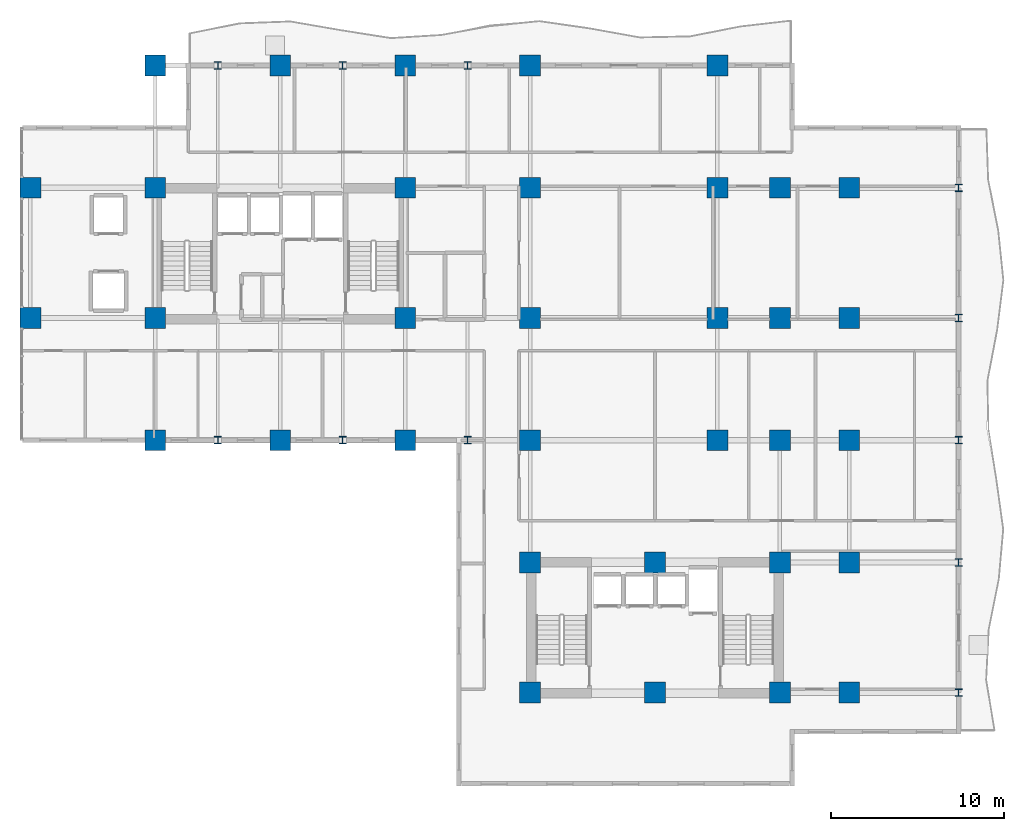
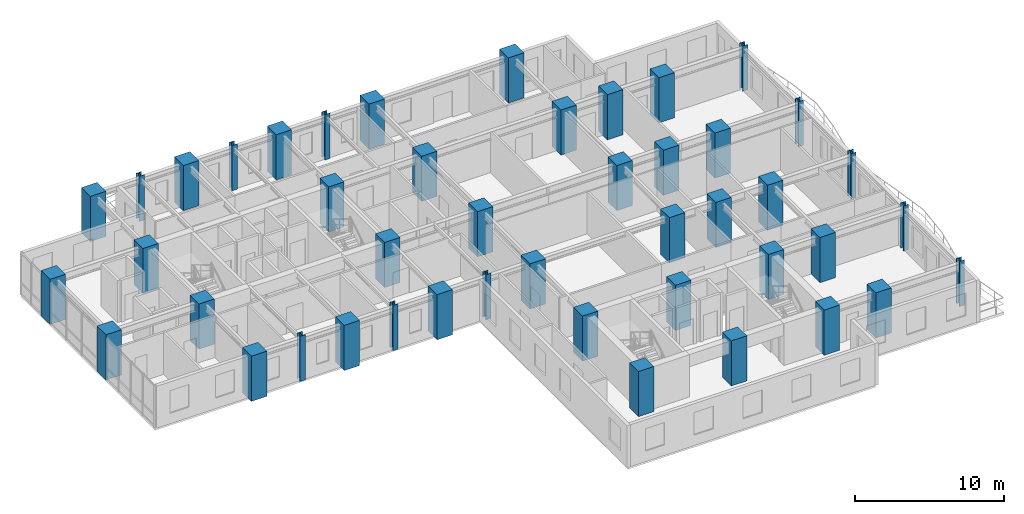
# One storey, part 1 of 17: 45 columns.
"""IFC4 building model written with IfcOpenShell, lengths in metres."""

from ifc_helpers import new_model, si_unit, direction, frame, origin, origin_2d, place, context, subcontext, project, spatial, rectangle, i_section, extrude, source, transform, mapped, material, material_profile, profile_set, type_object, element, save


model = new_model("IFC4")

# Units and contexts
model_context = context("Model", 3, precision=1e-05, world=origin(), true_north=direction((0.0, 1.0)))
body_context = subcontext(model_context, "Body", "Model", "MODEL_VIEW")
ifc_project = project(units=[si_unit("LENGTHUNIT", "METRE"), si_unit("AREAUNIT", "SQUARE_METRE"), si_unit("VOLUMEUNIT", "CUBIC_METRE"), si_unit("PLANEANGLEUNIT", "RADIAN"), si_unit("MASSUNIT", "GRAM", prefix="KILO")], contexts=[model_context])

# Site, building, storey
site_placement = place(None, origin())
site = spatial("IfcSite", under=ifc_project, at=site_placement, CompositionType="ELEMENT")
building_placement = place(site_placement, origin())
building = spatial("IfcBuilding", under=site, at=building_placement, Name="Kaliganga Portal Commons", CompositionType="ELEMENT")
storey_placement = place(building_placement, frame((0.0, 0.0, 108.199951171875)))
storey = spatial("IfcBuildingStorey", under=building, at=storey_placement, Name="L27", CompositionType="ELEMENT", Elevation=108.199951171875)

# Columns
ifc_material_1 = material(Name="Concrete C60/75", Category="concrete")
ifc_material_profile_1 = material_profile(ifc_material_1, rectangle(XDim=1.199951171875, YDim=1.199951171875, at=origin_2d()), Name="RC 1200x1200")
ifc_profile_set_1 = profile_set([ifc_material_profile_1], Name="Concrete C60/75")
column_type_1 = type_object("IfcColumnType", Name="COL-MEGA-Z2", PredefinedType="COLUMN", material=ifc_profile_set_1)
shared_shape_1 = source(origin(), body_context, "Body", "SweptSolid", [
    extrude(rectangle(XDim=1.199951171875, YDim=1.199951171875, at=origin_2d()), origin(), (0.0, 0.0, 1.0), 3.699951171875),
])
for number, where, z_axis, x_axis, name in (
    (1, (7.199951171875, 28.64990234375, 0.0), (0.0, 0.0, 1.0), (1.0, 0.0, 0.0), "Column MC-03 L27"),
    (2, (7.199951171875, 36.14990234375, 0.0), (0.0, 0.0, 1.0), (1.0, 0.0, 0.0), "Column MC-03 L27"),
    (3, (14.39990234375, 21.60009765625, 0.0), (0.0, 0.0, 1.0), (1.0, 0.0, 0.0), "Column MC-03 L27"),
    (4, (14.39990234375, 28.64990234375, 0.0), (0.0, 0.0, 1.0), (1.0, 0.0, 0.0), "Column MC-03 L27"),
    (5, (14.39990234375, 36.14990234375, 0.0), (0.0, 0.0, 1.0), (1.0, 0.0, 0.0), "Column MC-03 L27"),
    (6, (14.39990234375, 43.199951171875, 0.0), (0.0, 0.0, 1.0), (1.0, 0.0, 0.0), "Column MC-03 L27"),
    (7, (21.60009765625, 21.60009765625, 0.0), (0.0, 0.0, 1.0), (1.0, 0.0, 0.0), "Column MC-03 L27"),
    (8, (21.60009765625, 43.199951171875, 0.0), (0.0, 0.0, 1.0), (1.0, 0.0, 0.0), "Column MC-03 L27"),
    (9, (28.800048828125, 21.60009765625, 0.0), (0.0, 0.0, 1.0), (1.0, 0.0, 0.0), "Column MC-03 L27"),
    (10, (28.800048828125, 28.64990234375, 0.0), (0.0, 0.0, 1.0), (1.0, 0.0, 0.0), "Column MC-03 L27"),
    (11, (28.800048828125, 36.14990234375, 0.0), (0.0, 0.0, 1.0), (1.0, 0.0, 0.0), "Column MC-03 L27"),
    (12, (28.800048828125, 43.199951171875, 0.0), (0.0, 0.0, 1.0), (1.0, 0.0, 0.0), "Column MC-03 L27"),
    (13, (36.0, 21.60009765625, 0.0), (0.0, 0.0, 1.0), (1.0, 0.0, 0.0), "Column MC-03 L27"),
    (14, (36.0, 43.199951171875, 0.0), (0.0, 0.0, 1.0), (1.0, 0.0, 0.0), "Column MC-03 L27"),
    (15, (36.0, 28.64990234375, 0.0), (0.0, 0.0, 1.0), (1.0, 0.0, 0.0), "Column MC-03 L27"),
    (16, (36.0, 36.14990234375, 0.0), (0.0, 0.0, 1.0), (1.0, 0.0, 0.0), "Column MC-03 L27"),
    (17, (46.800048828125, 21.60009765625, 0.0), (0.0, 0.0, 1.0), (1.0, 0.0, 0.0), "Column MC-03 L27"),
    (18, (46.800048828125, 28.64990234375, 0.0), (0.0, 0.0, 1.0), (1.0, 0.0, 0.0), "Column MC-03 L27"),
    (19, (46.800048828125, 36.14990234375, 0.0), (0.0, 0.0, 1.0), (1.0, 0.0, 0.0), "Column MC-03 L27"),
    (20, (46.800048828125, 43.199951171875, 0.0), (0.0, 0.0, 1.0), (1.0, 0.0, 0.0), "Column MC-03 L27"),
    (21, (36.0, 7.050048828125, 0.0), (0.0, 0.0, 1.0), (1.0, 0.0, 0.0), "Column MC-03 L27"),
    (22, (36.0, 14.550048828125, 0.0), (0.0, 0.0, 1.0), (1.0, 0.0, 0.0), "Column MC-03 L27"),
    (23, (43.199951171875, 7.050048828125, 0.0), (0.0, 0.0, 1.0), (1.0, 0.0, 0.0), "Column MC-03 L27"),
    (24, (43.199951171875, 14.550048828125, 0.0), (0.0, 0.0, 1.0), (1.0, 0.0, 0.0), "Column MC-03 L27"),
    (25, (50.39990234375, 7.050048828125, 0.0), (0.0, 0.0, 1.0), (1.0, 0.0, 0.0), "Column MC-03 L27"),
    (26, (50.39990234375, 14.550048828125, 0.0), (0.0, 0.0, 1.0), (1.0, 0.0, 0.0), "Column MC-03 L27"),
    (27, (50.39990234375, 21.60009765625, 0.0), (0.0, 0.0, 1.0), (1.0, 0.0, 0.0), "Column MC-03 L27"),
    (28, (50.39990234375, 28.64990234375, 0.0), (0.0, 0.0, 1.0), (1.0, 0.0, 0.0), "Column MC-03 L27"),
    (29, (50.39990234375, 36.14990234375, 0.0), (0.0, 0.0, 1.0), (1.0, 0.0, 0.0), "Column MC-03 L27"),
    (30, (54.39990234375, 7.050048828125, 0.0), (0.0, 0.0, 1.0), (1.0, 0.0, 0.0), "Column MC-03 L27"),
    (31, (54.39990234375, 14.550048828125, 0.0), (0.0, 0.0, 1.0), (1.0, 0.0, 0.0), "Column MC-03 L27"),
    (32, (54.39990234375, 21.60009765625, 0.0), (0.0, 0.0, 1.0), (1.0, 0.0, 0.0), "Column MC-03 L27"),
    (33, (54.39990234375, 28.64990234375, 0.0), (0.0, 0.0, 1.0), (1.0, 0.0, 0.0), "Column MC-03 L27"),
    (34, (54.39990234375, 36.14990234375, 0.0), (0.0, 0.0, 1.0), (1.0, 0.0, 0.0), "Column MC-03 L27"),
):
    element("IfcColumn", number, at=place(storey_placement, frame(where, z_axis=z_axis, x_axis=x_axis)), inside=storey, type_object=column_type_1, Name=name, PredefinedType="COLUMN", context=body_context, shape_type="MappedRepresentation", body=[
        mapped(shared_shape_1, transform((0.0, 0.0, 0.0), x_axis=(1.0, 0.0, 0.0), y_axis=(0.0, 1.0, 0.0), z_axis=(0.0, 0.0, 1.0), scale=1.0)),
    ])
ifc_material_2 = material(Name="Structural steel S460M", Category="steel")
ifc_material_profile_2 = material_profile(ifc_material_2, i_section(OverallWidth=0.408935546875, OverallDepth=0.429931640625, WebThickness=0.0244140625, FlangeThickness=0.033447265625, FilletRadius=0.014892578125, at=origin_2d()), Name="HD 400x421")
ifc_profile_set_2 = profile_set([ifc_material_profile_2], Name="Structural steel S460M wide-flange")
column_type_2 = type_object("IfcColumnType", Name="COL-TUBE-B2", PredefinedType="COLUMN", material=ifc_profile_set_2)
shared_shape_2 = source(origin(), body_context, "Body", "SweptSolid", [
    extrude(i_section(OverallWidth=0.408935546875, OverallDepth=0.429931640625, WebThickness=0.0244140625, FlangeThickness=0.033447265625, FilletRadius=0.014892578125, at=origin_2d()), origin(), (0.0, 0.0, 1.0), 3.699951171875),
])
for number, where, z_axis, x_axis, name in (
    (35, (18.0, 21.60009765625, 0.0), (0.0, 0.0, 1.0), (1.0, 0.0, 0.0), "Column TC-02 L27"),
    (36, (18.0, 43.199951171875, 0.0), (0.0, 0.0, 1.0), (1.0, 0.0, 0.0), "Column TC-02 L27"),
    (37, (25.199951171875, 21.60009765625, 0.0), (0.0, 0.0, 1.0), (1.0, 0.0, 0.0), "Column TC-02 L27"),
    (38, (25.199951171875, 43.199951171875, 0.0), (0.0, 0.0, 1.0), (1.0, 0.0, 0.0), "Column TC-02 L27"),
    (39, (32.39990234375, 21.60009765625, 0.0), (0.0, 0.0, 1.0), (1.0, 0.0, 0.0), "Column TC-02 L27"),
    (40, (32.39990234375, 43.199951171875, 0.0), (0.0, 0.0, 1.0), (1.0, 0.0, 0.0), "Column TC-02 L27"),
    (41, (60.699951171875, 7.050048828125, 0.0), (0.0, 0.0, 1.0), (1.0, 0.0, 0.0), "Column TC-02 L27"),
    (42, (60.699951171875, 14.550048828125, 0.0), (0.0, 0.0, 1.0), (1.0, 0.0, 0.0), "Column TC-02 L27"),
    (43, (60.699951171875, 21.60009765625, 0.0), (0.0, 0.0, 1.0), (1.0, 0.0, 0.0), "Column TC-02 L27"),
    (44, (60.699951171875, 28.64990234375, 0.0), (0.0, 0.0, 1.0), (1.0, 0.0, 0.0), "Column TC-02 L27"),
    (45, (60.699951171875, 36.14990234375, 0.0), (0.0, 0.0, 1.0), (1.0, 0.0, 0.0), "Column TC-02 L27"),
):
    element("IfcColumn", number, at=place(storey_placement, frame(where, z_axis=z_axis, x_axis=x_axis)), inside=storey, type_object=column_type_2, Name=name, PredefinedType="COLUMN", context=body_context, shape_type="MappedRepresentation", body=[
        mapped(shared_shape_2, transform((0.0, 0.0, 0.0), x_axis=(1.0, 0.0, 0.0), y_axis=(0.0, 1.0, 0.0), z_axis=(0.0, 0.0, 1.0), scale=1.0)),
    ])

save(model, "model.ifc")
